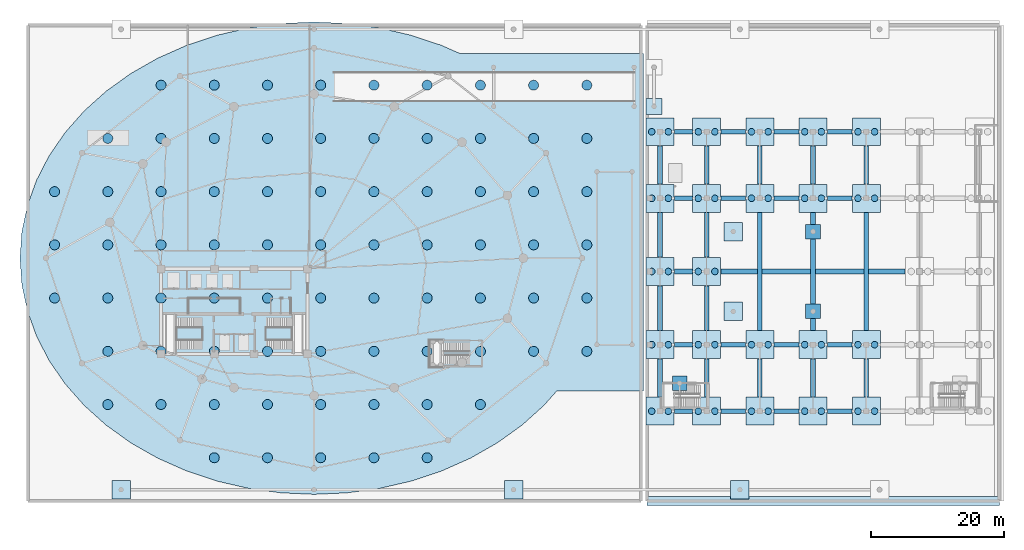
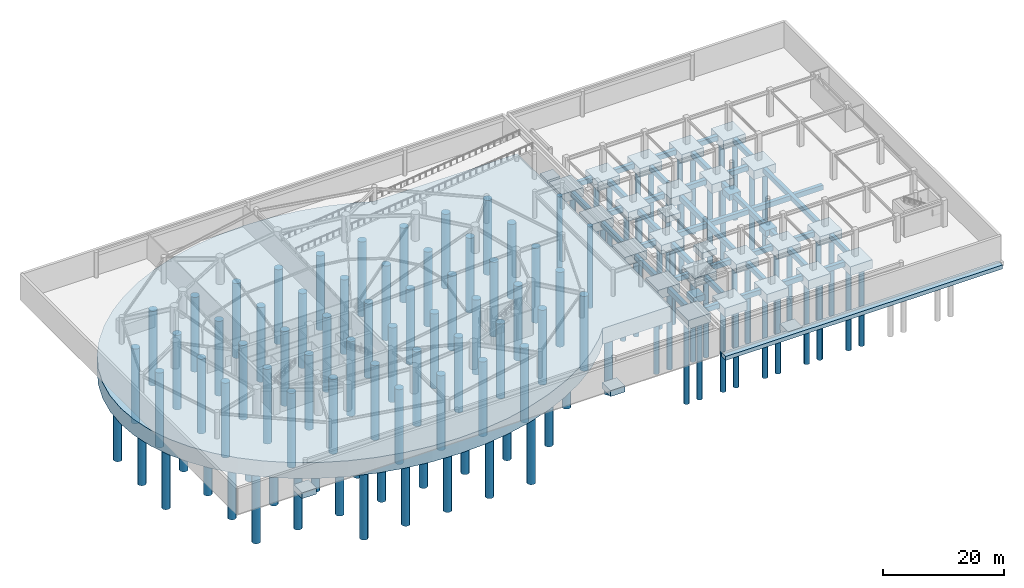
# One storey, part 1 of 22: 119 piles, 68 footings.
"""IFC4 building model written with IfcOpenShell, lengths in metres."""

from ifc_helpers import new_model, si_unit, direction, frame, frame_2d, origin, origin_2d, place, context, subcontext, project, spatial, polyline, rectangle, circle, outline, extrude, material, layer, layer_set, material_profile, profile_set, type_object, element, save


model = new_model("IFC4")

# Units and contexts
model_context = context("Model", 3, precision=1e-05, world=origin(), true_north=direction((0.0, 1.0)))
body_context = subcontext(model_context, "Body", "Model", "MODEL_VIEW")
ifc_project = project(units=[si_unit("LENGTHUNIT", "METRE"), si_unit("AREAUNIT", "SQUARE_METRE"), si_unit("VOLUMEUNIT", "CUBIC_METRE"), si_unit("PLANEANGLEUNIT", "RADIAN"), si_unit("MASSUNIT", "GRAM", prefix="KILO")], contexts=[model_context])

# Site, building, storey
site_placement = place(None, origin())
site = spatial("IfcSite", under=ifc_project, at=site_placement, CompositionType="ELEMENT")
building_placement = place(site_placement, origin())
building = spatial("IfcBuilding", under=site, at=building_placement, Name="Kazevale Care Tower and Concert Hall", CompositionType="ELEMENT")
storey_placement = place(building_placement, frame((0.0, 0.0, -5.39990234375)))
storey = spatial("IfcBuildingStorey", under=building, at=storey_placement, Name="B1", CompositionType="ELEMENT", Elevation=-5.39990234375)

# Piles
ifc_material = material(Name="Concrete C50", Category="concrete")
ifc_material_profile_1 = material_profile(ifc_material, circle(Radius=0.5, at=origin_2d()), Name="PILE-D1000")
ifc_profile_set_1 = profile_set([ifc_material_profile_1], Name="Concrete C50")
pile_type_1 = type_object("IfcPileType", Name="Concert Hall Bored Pile D1000", PredefinedType="BORED", material=ifc_profile_set_1)
for number, where, z_axis, x_axis, name in (
    (1, (95.75, 15.0, -2.080078125), (0.0, 0.0, -1.0), (1.0, 0.0, 0.0), "pile:ch:001"),
    (2, (98.25, 15.0, -2.080078125), (0.0, 0.0, -1.0), (1.0, 0.0, 0.0), "pile:ch:002"),
    (3, (95.75, 25.0, -2.080078125), (0.0, 0.0, -1.0), (1.0, 0.0, 0.0), "pile:ch:003"),
    (4, (98.25, 25.0, -2.080078125), (0.0, 0.0, -1.0), (1.0, 0.0, 0.0), "pile:ch:004"),
    (5, (95.75, 36.0, -2.080078125), (0.0, 0.0, -1.0), (1.0, 0.0, 0.0), "pile:ch:005"),
    (6, (98.25, 36.0, -2.080078125), (0.0, 0.0, -1.0), (1.0, 0.0, 0.0), "pile:ch:006"),
    (7, (95.75, 47.0, -2.080078125), (0.0, 0.0, -1.0), (1.0, 0.0, 0.0), "pile:ch:007"),
    (8, (98.25, 47.0, -2.080078125), (0.0, 0.0, -1.0), (1.0, 0.0, 0.0), "pile:ch:008"),
    (9, (95.75, 57.0, -2.080078125), (0.0, 0.0, -1.0), (1.0, 0.0, 0.0), "pile:ch:009"),
    (10, (98.25, 57.0, -2.080078125), (0.0, 0.0, -1.0), (1.0, 0.0, 0.0), "pile:ch:010"),
    (11, (102.75, 15.0, -2.080078125), (0.0, 0.0, -1.0), (1.0, 0.0, 0.0), "pile:ch:011"),
    (12, (105.25, 15.0, -2.080078125), (0.0, 0.0, -1.0), (1.0, 0.0, 0.0), "pile:ch:012"),
    (13, (102.75, 25.0, -2.080078125), (0.0, 0.0, -1.0), (1.0, 0.0, 0.0), "pile:ch:013"),
    (14, (105.25, 25.0, -2.080078125), (0.0, 0.0, -1.0), (1.0, 0.0, 0.0), "pile:ch:014"),
    (15, (102.75, 36.0, -2.080078125), (0.0, 0.0, -1.0), (1.0, 0.0, 0.0), "pile:ch:015"),
    (16, (105.25, 36.0, -2.080078125), (0.0, 0.0, -1.0), (1.0, 0.0, 0.0), "pile:ch:016"),
    (17, (102.75, 47.0, -2.080078125), (0.0, 0.0, -1.0), (1.0, 0.0, 0.0), "pile:ch:017"),
    (18, (105.25, 47.0, -2.080078125), (0.0, 0.0, -1.0), (1.0, 0.0, 0.0), "pile:ch:018"),
    (19, (102.75, 57.0, -2.080078125), (0.0, 0.0, -1.0), (1.0, 0.0, 0.0), "pile:ch:019"),
    (20, (105.25, 57.0, -2.080078125), (0.0, 0.0, -1.0), (1.0, 0.0, 0.0), "pile:ch:020"),
    (21, (110.75, 15.0, -2.080078125), (0.0, 0.0, -1.0), (1.0, 0.0, 0.0), "pile:ch:021"),
    (22, (113.25, 15.0, -2.080078125), (0.0, 0.0, -1.0), (1.0, 0.0, 0.0), "pile:ch:022"),
    (23, (110.75, 25.0, -2.080078125), (0.0, 0.0, -1.0), (1.0, 0.0, 0.0), "pile:ch:023"),
    (24, (113.25, 25.0, -2.080078125), (0.0, 0.0, -1.0), (1.0, 0.0, 0.0), "pile:ch:024"),
    (25, (110.75, 47.0, -2.080078125), (0.0, 0.0, -1.0), (1.0, 0.0, 0.0), "pile:ch:025"),
    (26, (113.25, 47.0, -2.080078125), (0.0, 0.0, -1.0), (1.0, 0.0, 0.0), "pile:ch:026"),
    (27, (110.75, 57.0, -2.080078125), (0.0, 0.0, -1.0), (1.0, 0.0, 0.0), "pile:ch:027"),
    (28, (113.25, 57.0, -2.080078125), (0.0, 0.0, -1.0), (1.0, 0.0, 0.0), "pile:ch:028"),
    (29, (118.75, 15.0, -2.080078125), (0.0, 0.0, -1.0), (1.0, 0.0, 0.0), "pile:ch:029"),
    (30, (121.25, 15.0, -2.080078125), (0.0, 0.0, -1.0), (1.0, 0.0, 0.0), "pile:ch:030"),
    (31, (118.75, 25.0, -2.080078125), (0.0, 0.0, -1.0), (1.0, 0.0, 0.0), "pile:ch:031"),
    (32, (121.25, 25.0, -2.080078125), (0.0, 0.0, -1.0), (1.0, 0.0, 0.0), "pile:ch:032"),
    (33, (118.75, 47.0, -2.080078125), (0.0, 0.0, -1.0), (1.0, 0.0, 0.0), "pile:ch:033"),
    (34, (121.25, 47.0, -2.080078125), (0.0, 0.0, -1.0), (1.0, 0.0, 0.0), "pile:ch:034"),
    (35, (118.75, 57.0, -2.080078125), (0.0, 0.0, -1.0), (1.0, 0.0, 0.0), "pile:ch:035"),
    (36, (121.25, 57.0, -2.080078125), (0.0, 0.0, -1.0), (1.0, 0.0, 0.0), "pile:ch:036"),
    (37, (126.75, 15.0, -2.080078125), (0.0, 0.0, -1.0), (1.0, 0.0, 0.0), "pile:ch:037"),
    (38, (129.25, 15.0, -2.080078125), (0.0, 0.0, -1.0), (1.0, 0.0, 0.0), "pile:ch:038"),
    (39, (126.75, 25.0, -2.080078125), (0.0, 0.0, -1.0), (1.0, 0.0, 0.0), "pile:ch:039"),
    (40, (129.25, 25.0, -2.080078125), (0.0, 0.0, -1.0), (1.0, 0.0, 0.0), "pile:ch:040"),
    (41, (126.75, 47.0, -2.080078125), (0.0, 0.0, -1.0), (1.0, 0.0, 0.0), "pile:ch:041"),
    (42, (129.25, 47.0, -2.080078125), (0.0, 0.0, -1.0), (1.0, 0.0, 0.0), "pile:ch:042"),
    (43, (126.75, 57.0, -2.080078125), (0.0, 0.0, -1.0), (1.0, 0.0, 0.0), "pile:ch:043"),
    (44, (129.25, 57.0, -2.080078125), (0.0, 0.0, -1.0), (1.0, 0.0, 0.0), "pile:ch:044"),
):
    element("IfcPile", number, at=place(storey_placement, frame(where, z_axis=z_axis, x_axis=x_axis)), inside=storey, type_object=pile_type_1, Name=name, PredefinedType="BORED", context=body_context, shape_type="SweptSolid", body=[
        extrude(circle(Radius=0.5, at=origin_2d()), origin(), (0.0, 0.0, 1.0), 16.52001953125),
    ])

# Footings
ifc_layer_1 = layer(ifc_material, 1.800048828125)
ifc_layer_set_1 = layer_set([ifc_layer_1], Name="Concrete C50")
footing_type_1 = type_object("IfcFootingType", Name="Concert Hall Pile Cap 4200x4200x1800", PredefinedType="PILE_CAP", material=ifc_layer_set_1)
for number, where, z_axis, x_axis, name in (
    (45, (97.0, 15.0, -2.2001953125), (0.0, 0.0, 1.0), (1.0, 0.0, 0.0), "fnd:hcap:HC-01"),
    (46, (97.0, 25.0, -2.2001953125), (0.0, 0.0, 1.0), (1.0, 0.0, 0.0), "fnd:hcap:HC-02"),
    (47, (97.0, 36.0, -2.2001953125), (0.0, 0.0, 1.0), (1.0, 0.0, 0.0), "fnd:hcap:HC-03"),
    (48, (97.0, 47.0, -2.2001953125), (0.0, 0.0, 1.0), (1.0, 0.0, 0.0), "fnd:hcap:HC-04"),
    (49, (97.0, 57.0, -2.2001953125), (0.0, 0.0, 1.0), (1.0, 0.0, 0.0), "fnd:hcap:HC-05"),
    (50, (104.0, 15.0, -2.2001953125), (0.0, 0.0, 1.0), (1.0, 0.0, 0.0), "fnd:hcap:HC-06"),
    (51, (104.0, 25.0, -2.2001953125), (0.0, 0.0, 1.0), (1.0, 0.0, 0.0), "fnd:hcap:HC-07"),
    (52, (104.0, 36.0, -2.2001953125), (0.0, 0.0, 1.0), (1.0, 0.0, 0.0), "fnd:hcap:HC-08"),
    (53, (104.0, 47.0, -2.2001953125), (0.0, 0.0, 1.0), (1.0, 0.0, 0.0), "fnd:hcap:HC-09"),
    (54, (104.0, 57.0, -2.2001953125), (0.0, 0.0, 1.0), (1.0, 0.0, 0.0), "fnd:hcap:HC-10"),
    (55, (112.0, 15.0, -2.2001953125), (0.0, 0.0, 1.0), (1.0, 0.0, 0.0), "fnd:hcap:HC-11"),
    (56, (112.0, 25.0, -2.2001953125), (0.0, 0.0, 1.0), (1.0, 0.0, 0.0), "fnd:hcap:HC-12"),
    (57, (112.0, 47.0, -2.2001953125), (0.0, 0.0, 1.0), (1.0, 0.0, 0.0), "fnd:hcap:HC-13"),
    (58, (112.0, 57.0, -2.2001953125), (0.0, 0.0, 1.0), (1.0, 0.0, 0.0), "fnd:hcap:HC-14"),
    (59, (120.0, 15.0, -2.2001953125), (0.0, 0.0, 1.0), (1.0, 0.0, 0.0), "fnd:hcap:HC-15"),
    (60, (120.0, 25.0, -2.2001953125), (0.0, 0.0, 1.0), (1.0, 0.0, 0.0), "fnd:hcap:HC-16"),
    (61, (120.0, 47.0, -2.2001953125), (0.0, 0.0, 1.0), (1.0, 0.0, 0.0), "fnd:hcap:HC-17"),
    (62, (120.0, 57.0, -2.2001953125), (0.0, 0.0, 1.0), (1.0, 0.0, 0.0), "fnd:hcap:HC-18"),
    (63, (128.0, 15.0, -2.2001953125), (0.0, 0.0, 1.0), (1.0, 0.0, 0.0), "fnd:hcap:HC-19"),
    (64, (128.0, 25.0, -2.2001953125), (0.0, 0.0, 1.0), (1.0, 0.0, 0.0), "fnd:hcap:HC-20"),
    (65, (128.0, 47.0, -2.2001953125), (0.0, 0.0, 1.0), (1.0, 0.0, 0.0), "fnd:hcap:HC-21"),
    (66, (128.0, 57.0, -2.2001953125), (0.0, 0.0, 1.0), (1.0, 0.0, 0.0), "fnd:hcap:HC-22"),
):
    element("IfcFooting", number, at=place(storey_placement, frame(where, z_axis=z_axis, x_axis=x_axis)), inside=storey, type_object=footing_type_1, Name=name, PredefinedType="PILE_CAP", context=body_context, shape_type="SweptSolid", body=[
        extrude(rectangle(XDim=4.199951171875, YDim=4.199951171875, at=origin_2d()), origin(), (0.0, 0.0, 1.0), 1.800048828125),
    ])
ifc_material_profile_2 = material_profile(ifc_material, rectangle(XDim=0.699951171875, YDim=1.0, at=origin_2d()), Name="RC-GB700x1000")
ifc_profile_set_2 = profile_set([ifc_material_profile_2], Name="Concrete C50")
footing_type_2 = type_object("IfcFootingType", Name="Foundation Tie Beam 700x1000", PredefinedType="FOOTING_BEAM", material=ifc_profile_set_2)
footing_1_placement = place(storey_placement, frame((99.14990234375, 15.0, -1.400146484375), z_axis=(0.0, 0.0, 1.0), x_axis=(1.0, 0.0, 0.0)))
element("IfcFooting", 67, at=footing_1_placement, inside=storey, type_object=footing_type_2, Name="fnd:B1:ftb:01", PredefinedType="FOOTING_BEAM", context=body_context, shape_type="SweptSolid", body=[
    extrude(rectangle(XDim=2.7001953125, YDim=0.699951171875, at=frame_2d((1.35009765625, 0.0))), origin(), (0.0, 0.0, 1.0), 1.0),
])
for number, where, z_axis, x_axis, name in (
    (68, (106.14990234375, 15.0, -1.400146484375), (0.0, 0.0, 1.0), (1.0, 0.0, 0.0), "fnd:B1:ftb:02"),
    (69, (114.14990234375, 15.0, -1.400146484375), (0.0, 0.0, 1.0), (1.0, 0.0, 0.0), "fnd:B1:ftb:03"),
    (70, (122.14990234375, 15.0, -1.400146484375), (0.0, 0.0, 1.0), (1.0, 0.0, 0.0), "fnd:B1:ftb:04"),
):
    element("IfcFooting", number, at=place(storey_placement, frame(where, z_axis=z_axis, x_axis=x_axis)), inside=storey, type_object=footing_type_2, Name=name, PredefinedType="FOOTING_BEAM", context=body_context, shape_type="SweptSolid", body=[
        extrude(rectangle(XDim=3.7001953125, YDim=0.699951171875, at=frame_2d((1.85009765625, 0.0))), origin(), (0.0, 0.0, 1.0), 1.0),
    ])
footing_2_placement = place(storey_placement, frame((99.14990234375, 25.0, -1.400146484375), z_axis=(0.0, 0.0, 1.0), x_axis=(1.0, 0.0, 0.0)))
element("IfcFooting", 71, at=footing_2_placement, inside=storey, type_object=footing_type_2, Name="fnd:B1:ftb:07", PredefinedType="FOOTING_BEAM", context=body_context, shape_type="SweptSolid", body=[
    extrude(rectangle(XDim=2.7001953125, YDim=0.699951171875, at=frame_2d((1.35009765625, 0.0))), origin(), (0.0, 0.0, 1.0), 1.0),
])
for number, where, z_axis, x_axis, name in (
    (72, (106.14990234375, 25.0, -1.400146484375), (0.0, 0.0, 1.0), (1.0, 0.0, 0.0), "fnd:B1:ftb:08"),
    (73, (114.14990234375, 25.0, -1.400146484375), (0.0, 0.0, 1.0), (1.0, 0.0, 0.0), "fnd:B1:ftb:09"),
    (74, (122.14990234375, 25.0, -1.400146484375), (0.0, 0.0, 1.0), (1.0, 0.0, 0.0), "fnd:B1:ftb:10"),
):
    element("IfcFooting", number, at=place(storey_placement, frame(where, z_axis=z_axis, x_axis=x_axis)), inside=storey, type_object=footing_type_2, Name=name, PredefinedType="FOOTING_BEAM", context=body_context, shape_type="SweptSolid", body=[
        extrude(rectangle(XDim=3.7001953125, YDim=0.699951171875, at=frame_2d((1.85009765625, 0.0))), origin(), (0.0, 0.0, 1.0), 1.0),
    ])
footing_3_placement = place(storey_placement, frame((99.14990234375, 36.0, -1.400146484375), z_axis=(0.0, 0.0, 1.0), x_axis=(1.0, 0.0, 0.0)))
element("IfcFooting", 75, at=footing_3_placement, inside=storey, type_object=footing_type_2, Name="fnd:B1:ftb:13", PredefinedType="FOOTING_BEAM", context=body_context, shape_type="SweptSolid", body=[
    extrude(rectangle(XDim=2.7001953125, YDim=0.699951171875, at=frame_2d((1.35009765625, 0.0))), origin(), (0.0, 0.0, 1.0), 1.0),
])
footing_4_placement = place(storey_placement, frame((106.14990234375, 36.0, -1.400146484375), z_axis=(0.0, 0.0, 1.0), x_axis=(1.0, 0.0, 0.0)))
element("IfcFooting", 76, at=footing_4_placement, inside=storey, type_object=footing_type_2, Name="fnd:B1:ftb:14", PredefinedType="FOOTING_BEAM", context=body_context, shape_type="SweptSolid", body=[
    extrude(rectangle(XDim=27.7001953125, YDim=0.699951171875, at=frame_2d((13.85009765625, 0.0))), origin(), (0.0, 0.0, 1.0), 1.0),
])
footing_5_placement = place(storey_placement, frame((99.14990234375, 47.0, -1.400146484375), z_axis=(0.0, 0.0, 1.0), x_axis=(1.0, 0.0, 0.0)))
element("IfcFooting", 77, at=footing_5_placement, inside=storey, type_object=footing_type_2, Name="fnd:B1:ftb:16", PredefinedType="FOOTING_BEAM", context=body_context, shape_type="SweptSolid", body=[
    extrude(rectangle(XDim=2.7001953125, YDim=0.699951171875, at=frame_2d((1.35009765625, 0.0))), origin(), (0.0, 0.0, 1.0), 1.0),
])
for number, where, z_axis, x_axis, name in (
    (78, (106.14990234375, 47.0, -1.400146484375), (0.0, 0.0, 1.0), (1.0, 0.0, 0.0), "fnd:B1:ftb:17"),
    (79, (114.14990234375, 47.0, -1.400146484375), (0.0, 0.0, 1.0), (1.0, 0.0, 0.0), "fnd:B1:ftb:18"),
    (80, (122.14990234375, 47.0, -1.400146484375), (0.0, 0.0, 1.0), (1.0, 0.0, 0.0), "fnd:B1:ftb:19"),
):
    element("IfcFooting", number, at=place(storey_placement, frame(where, z_axis=z_axis, x_axis=x_axis)), inside=storey, type_object=footing_type_2, Name=name, PredefinedType="FOOTING_BEAM", context=body_context, shape_type="SweptSolid", body=[
        extrude(rectangle(XDim=3.7001953125, YDim=0.699951171875, at=frame_2d((1.85009765625, 0.0))), origin(), (0.0, 0.0, 1.0), 1.0),
    ])
footing_6_placement = place(storey_placement, frame((99.14990234375, 57.0, -1.400146484375), z_axis=(0.0, 0.0, 1.0), x_axis=(1.0, 0.0, 0.0)))
element("IfcFooting", 81, at=footing_6_placement, inside=storey, type_object=footing_type_2, Name="fnd:B1:ftb:22", PredefinedType="FOOTING_BEAM", context=body_context, shape_type="SweptSolid", body=[
    extrude(rectangle(XDim=2.7001953125, YDim=0.699951171875, at=frame_2d((1.35009765625, 0.0))), origin(), (0.0, 0.0, 1.0), 1.0),
])
for number, where, z_axis, x_axis, name in (
    (82, (106.14990234375, 57.0, -1.400146484375), (0.0, 0.0, 1.0), (1.0, 0.0, 0.0), "fnd:B1:ftb:23"),
    (83, (114.14990234375, 57.0, -1.400146484375), (0.0, 0.0, 1.0), (1.0, 0.0, 0.0), "fnd:B1:ftb:24"),
    (84, (122.14990234375, 57.0, -1.400146484375), (0.0, 0.0, 1.0), (1.0, 0.0, 0.0), "fnd:B1:ftb:25"),
):
    element("IfcFooting", number, at=place(storey_placement, frame(where, z_axis=z_axis, x_axis=x_axis)), inside=storey, type_object=footing_type_2, Name=name, PredefinedType="FOOTING_BEAM", context=body_context, shape_type="SweptSolid", body=[
        extrude(rectangle(XDim=3.7001953125, YDim=0.699951171875, at=frame_2d((1.85009765625, 0.0))), origin(), (0.0, 0.0, 1.0), 1.0),
    ])
footing_7_placement = place(storey_placement, frame((97.0, 17.14990234375, -1.400146484375), z_axis=(0.0, 0.0, 1.0), x_axis=(0.0, 1.0, 0.0)))
element("IfcFooting", 85, at=footing_7_placement, inside=storey, type_object=footing_type_2, Name="fnd:B1:ftb:28", PredefinedType="FOOTING_BEAM", context=body_context, shape_type="SweptSolid", body=[
    extrude(rectangle(XDim=5.7001953125, YDim=0.699951171875, at=frame_2d((2.85009765625, 0.0))), origin(), (0.0, 0.0, 1.0), 1.0),
])
for number, where, z_axis, x_axis, name in (
    (86, (97.0, 27.14990234375, -1.400146484375), (0.0, 0.0, 1.0), (0.0, 1.0, 0.0), "fnd:B1:ftb:29"),
    (87, (97.0, 38.14990234375, -1.400146484375), (0.0, 0.0, 1.0), (0.0, 1.0, 0.0), "fnd:B1:ftb:30"),
):
    element("IfcFooting", number, at=place(storey_placement, frame(where, z_axis=z_axis, x_axis=x_axis)), inside=storey, type_object=footing_type_2, Name=name, PredefinedType="FOOTING_BEAM", context=body_context, shape_type="SweptSolid", body=[
        extrude(rectangle(XDim=6.7001953125, YDim=0.699951171875, at=frame_2d((3.35009765625, 0.0))), origin(), (0.0, 0.0, 1.0), 1.0),
    ])
for number, where, z_axis, x_axis, name in (
    (88, (97.0, 49.14990234375, -1.400146484375), (0.0, 0.0, 1.0), (0.0, 1.0, 0.0), "fnd:B1:ftb:31"),
    (89, (104.0, 17.14990234375, -1.400146484375), (0.0, 0.0, 1.0), (0.0, 1.0, 0.0), "fnd:B1:ftb:32"),
):
    element("IfcFooting", number, at=place(storey_placement, frame(where, z_axis=z_axis, x_axis=x_axis)), inside=storey, type_object=footing_type_2, Name=name, PredefinedType="FOOTING_BEAM", context=body_context, shape_type="SweptSolid", body=[
        extrude(rectangle(XDim=5.7001953125, YDim=0.699951171875, at=frame_2d((2.85009765625, 0.0))), origin(), (0.0, 0.0, 1.0), 1.0),
    ])
for number, where, z_axis, x_axis, name in (
    (90, (104.0, 27.14990234375, -1.400146484375), (0.0, 0.0, 1.0), (0.0, 1.0, 0.0), "fnd:B1:ftb:33"),
    (91, (104.0, 38.14990234375, -1.400146484375), (0.0, 0.0, 1.0), (0.0, 1.0, 0.0), "fnd:B1:ftb:34"),
):
    element("IfcFooting", number, at=place(storey_placement, frame(where, z_axis=z_axis, x_axis=x_axis)), inside=storey, type_object=footing_type_2, Name=name, PredefinedType="FOOTING_BEAM", context=body_context, shape_type="SweptSolid", body=[
        extrude(rectangle(XDim=6.7001953125, YDim=0.699951171875, at=frame_2d((3.35009765625, 0.0))), origin(), (0.0, 0.0, 1.0), 1.0),
    ])
for number, where, z_axis, x_axis, name in (
    (92, (104.0, 49.14990234375, -1.400146484375), (0.0, 0.0, 1.0), (0.0, 1.0, 0.0), "fnd:B1:ftb:35"),
    (93, (112.0, 17.14990234375, -1.400146484375), (0.0, 0.0, 1.0), (0.0, 1.0, 0.0), "fnd:B1:ftb:36"),
):
    element("IfcFooting", number, at=place(storey_placement, frame(where, z_axis=z_axis, x_axis=x_axis)), inside=storey, type_object=footing_type_2, Name=name, PredefinedType="FOOTING_BEAM", context=body_context, shape_type="SweptSolid", body=[
        extrude(rectangle(XDim=5.7001953125, YDim=0.699951171875, at=frame_2d((2.85009765625, 0.0))), origin(), (0.0, 0.0, 1.0), 1.0),
    ])
footing_8_placement = place(storey_placement, frame((112.0, 27.14990234375, -1.400146484375), z_axis=(0.0, 0.0, 1.0), x_axis=(0.0, 1.0, 0.0)))
element("IfcFooting", 94, at=footing_8_placement, inside=storey, type_object=footing_type_2, Name="fnd:B1:ftb:37", PredefinedType="FOOTING_BEAM", context=body_context, shape_type="SweptSolid", body=[
    extrude(rectangle(XDim=17.7001953125, YDim=0.699951171875, at=frame_2d((8.85009765625, 0.0))), origin(), (0.0, 0.0, 1.0), 1.0),
])
for number, where, z_axis, x_axis, name in (
    (95, (112.0, 49.14990234375, -1.400146484375), (0.0, 0.0, 1.0), (0.0, 1.0, 0.0), "fnd:B1:ftb:38"),
    (96, (120.0, 17.14990234375, -1.400146484375), (0.0, 0.0, 1.0), (0.0, 1.0, 0.0), "fnd:B1:ftb:39"),
):
    element("IfcFooting", number, at=place(storey_placement, frame(where, z_axis=z_axis, x_axis=x_axis)), inside=storey, type_object=footing_type_2, Name=name, PredefinedType="FOOTING_BEAM", context=body_context, shape_type="SweptSolid", body=[
        extrude(rectangle(XDim=5.7001953125, YDim=0.699951171875, at=frame_2d((2.85009765625, 0.0))), origin(), (0.0, 0.0, 1.0), 1.0),
    ])
footing_9_placement = place(storey_placement, frame((120.0, 27.14990234375, -1.400146484375), z_axis=(0.0, 0.0, 1.0), x_axis=(0.0, 1.0, 0.0)))
element("IfcFooting", 97, at=footing_9_placement, inside=storey, type_object=footing_type_2, Name="fnd:B1:ftb:40", PredefinedType="FOOTING_BEAM", context=body_context, shape_type="SweptSolid", body=[
    extrude(rectangle(XDim=17.7001953125, YDim=0.699951171875, at=frame_2d((8.85009765625, 0.0))), origin(), (0.0, 0.0, 1.0), 1.0),
])
for number, where, z_axis, x_axis, name in (
    (98, (120.0, 49.14990234375, -1.400146484375), (0.0, 0.0, 1.0), (0.0, 1.0, 0.0), "fnd:B1:ftb:41"),
    (99, (128.0, 17.14990234375, -1.400146484375), (0.0, 0.0, 1.0), (0.0, 1.0, 0.0), "fnd:B1:ftb:42"),
):
    element("IfcFooting", number, at=place(storey_placement, frame(where, z_axis=z_axis, x_axis=x_axis)), inside=storey, type_object=footing_type_2, Name=name, PredefinedType="FOOTING_BEAM", context=body_context, shape_type="SweptSolid", body=[
        extrude(rectangle(XDim=5.7001953125, YDim=0.699951171875, at=frame_2d((2.85009765625, 0.0))), origin(), (0.0, 0.0, 1.0), 1.0),
    ])
footing_10_placement = place(storey_placement, frame((128.0, 27.14990234375, -1.400146484375), z_axis=(0.0, 0.0, 1.0), x_axis=(0.0, 1.0, 0.0)))
element("IfcFooting", 100, at=footing_10_placement, inside=storey, type_object=footing_type_2, Name="fnd:B1:ftb:43", PredefinedType="FOOTING_BEAM", context=body_context, shape_type="SweptSolid", body=[
    extrude(rectangle(XDim=17.7001953125, YDim=0.699951171875, at=frame_2d((8.85009765625, 0.0))), origin(), (0.0, 0.0, 1.0), 1.0),
])
footing_11_placement = place(storey_placement, frame((128.0, 49.14990234375, -1.400146484375), z_axis=(0.0, 0.0, 1.0), x_axis=(0.0, 1.0, 0.0)))
element("IfcFooting", 101, at=footing_11_placement, inside=storey, type_object=footing_type_2, Name="fnd:B1:ftb:44", PredefinedType="FOOTING_BEAM", context=body_context, shape_type="SweptSolid", body=[
    extrude(rectangle(XDim=5.7001953125, YDim=0.699951171875, at=frame_2d((2.85009765625, 0.0))), origin(), (0.0, 0.0, 1.0), 1.0),
])
ifc_layer_2 = layer(ifc_material, 1.199951171875)
ifc_layer_set_2 = layer_set([ifc_layer_2], Name="Concrete C50")
footing_type_3 = type_object("IfcFootingType", Name="Garden Basement Pad Footing 2800x2800x1200", PredefinedType="PAD_FOOTING", material=ifc_layer_set_2)
for number, where, z_axis, x_axis, name in (
    (102, (108.0, 30.0, -1.60009765625), (0.0, 0.0, 1.0), (1.0, 0.0, 0.0), "fnd:rkpad:RKC-1"),
    (103, (108.0, 42.0, -1.60009765625), (0.0, 0.0, 1.0), (1.0, 0.0, 0.0), "fnd:rkpad:RKC-2"),
    (104, (16.0, 3.199951171875, -1.60009765625), (0.0, 0.0, 1.0), (1.0, 0.0, 0.0), "fnd:pavpad:1_3"),
    (105, (75.0, 3.199951171875, -1.60009765625), (0.0, 0.0, 1.0), (1.0, 0.0, 0.0), "fnd:pavpad:3_3"),
    (106, (109.0, 3.199951171875, -1.60009765625), (0.0, 0.0, 1.0), (1.0, 0.0, 0.0), "fnd:pavpad:4_3"),
):
    element("IfcFooting", number, at=place(storey_placement, frame(where, z_axis=z_axis, x_axis=x_axis)), inside=storey, type_object=footing_type_3, Name=name, PredefinedType="PAD_FOOTING", context=body_context, shape_type="SweptSolid", body=[
        extrude(rectangle(XDim=2.800048828125, YDim=2.800048828125, at=origin_2d()), origin(), (0.0, 0.0, 1.0), 1.199951171875),
    ])
footing_12_placement = place(storey_placement, frame((96.10009765625, 60.800048828125, -1.60009765625), z_axis=(0.0, 0.0, 1.0), x_axis=(1.0, 0.0, 0.0)))
element("IfcFooting", 107, at=footing_12_placement, inside=storey, type_object=footing_type_3, Name="fnd:rmppad:4_60", PredefinedType="PAD_FOOTING", context=body_context, shape_type="SweptSolid", body=[
    extrude(rectangle(XDim=2.39990234375, YDim=2.39990234375, at=origin_2d()), origin(), (0.0, 0.0, 1.0), 1.199951171875),
])
for number, where, z_axis, x_axis, name in (
    (108, (99.949951171875, 19.199951171875, -1.60009765625), (0.0, 0.0, 1.0), (1.0, 0.0, 0.0), "fnd:ST4:npost"),
    (109, (120.0, 30.0, -1.60009765625), (0.0, 0.0, 1.0), (1.0, 0.0, 0.0), "fnd:rkfpad:1"),
    (110, (120.0, 42.0, -1.60009765625), (0.0, 0.0, 1.0), (1.0, 0.0, 0.0), "fnd:rkfpad:2"),
):
    element("IfcFooting", number, at=place(storey_placement, frame(where, z_axis=z_axis, x_axis=x_axis)), inside=storey, type_object=footing_type_3, Name=name, PredefinedType="PAD_FOOTING", context=body_context, shape_type="SweptSolid", body=[
        extrude(rectangle(XDim=2.199951171875, YDim=2.199951171875, at=origin_2d()), origin(), (0.0, 0.0, 1.0), 1.199951171875),
    ])
ifc_layer_3 = layer(ifc_material, 0.800048828125)
ifc_layer_set_3 = layer_set([ifc_layer_3], Name="Concrete C50")
footing_type_4 = type_object("IfcFootingType", Name="Retaining Wall Strip Footing 1400x800", PredefinedType="STRIP_FOOTING", material=ifc_layer_set_3)
footing_13_placement = place(storey_placement, frame((95.050048828125, 1.5, -1.2001953125), z_axis=(0.0, 0.0, 1.0), x_axis=(1.0, 0.0, 0.0)))
element("IfcFooting", 111, at=footing_13_placement, inside=storey, type_object=footing_type_4, Name="fnd:retstrip:1", PredefinedType="STRIP_FOOTING", context=body_context, shape_type="SweptSolid", body=[
    extrude(rectangle(XDim=52.949951171875, YDim=1.39990234375, at=frame_2d((26.47509765625, 0.0))), origin(), (0.0, 0.0, 1.0), 0.800048828125),
])

# Piles
ifc_material_profile_3 = material_profile(ifc_material, circle(Radius=0.75, at=origin_2d()), Name="PILE-D1500")
ifc_profile_set_3 = profile_set([ifc_material_profile_3], Name="Concrete C50")
pile_type_2 = type_object("IfcPileType", Name="Tower Bored Pile D1500", PredefinedType="BORED", material=ifc_profile_set_3)
for number, where, z_axis, x_axis, name in (
    (112, (6.0, 32.0, -3.47998046875), (0.0, 0.0, -1.0), (1.0, 0.0, 0.0), "pile:tw:001"),
    (113, (6.0, 40.0, -3.47998046875), (0.0, 0.0, -1.0), (1.0, 0.0, 0.0), "pile:tw:002"),
    (114, (6.0, 48.0, -3.47998046875), (0.0, 0.0, -1.0), (1.0, 0.0, 0.0), "pile:tw:003"),
    (115, (14.0, 16.0, -3.47998046875), (0.0, 0.0, -1.0), (1.0, 0.0, 0.0), "pile:tw:004"),
    (116, (14.0, 24.0, -3.47998046875), (0.0, 0.0, -1.0), (1.0, 0.0, 0.0), "pile:tw:005"),
    (117, (14.0, 32.0, -3.47998046875), (0.0, 0.0, -1.0), (1.0, 0.0, 0.0), "pile:tw:006"),
    (118, (14.0, 40.0, -3.47998046875), (0.0, 0.0, -1.0), (1.0, 0.0, 0.0), "pile:tw:007"),
    (119, (14.0, 48.0, -3.47998046875), (0.0, 0.0, -1.0), (1.0, 0.0, 0.0), "pile:tw:008"),
    (120, (14.0, 56.0, -3.47998046875), (0.0, 0.0, -1.0), (1.0, 0.0, 0.0), "pile:tw:009"),
    (121, (22.0, 16.0, -3.47998046875), (0.0, 0.0, -1.0), (1.0, 0.0, 0.0), "pile:tw:010"),
    (122, (22.0, 24.0, -3.47998046875), (0.0, 0.0, -1.0), (1.0, 0.0, 0.0), "pile:tw:011"),
    (123, (22.0, 32.0, -3.47998046875), (0.0, 0.0, -1.0), (1.0, 0.0, 0.0), "pile:tw:012"),
    (124, (22.0, 40.0, -3.47998046875), (0.0, 0.0, -1.0), (1.0, 0.0, 0.0), "pile:tw:013"),
    (125, (22.0, 48.0, -3.47998046875), (0.0, 0.0, -1.0), (1.0, 0.0, 0.0), "pile:tw:014"),
    (126, (22.0, 56.0, -3.47998046875), (0.0, 0.0, -1.0), (1.0, 0.0, 0.0), "pile:tw:015"),
    (127, (22.0, 64.0, -3.47998046875), (0.0, 0.0, -1.0), (1.0, 0.0, 0.0), "pile:tw:016"),
    (128, (30.0, 8.0, -3.47998046875), (0.0, 0.0, -1.0), (1.0, 0.0, 0.0), "pile:tw:017"),
    (129, (30.0, 16.0, -3.47998046875), (0.0, 0.0, -1.0), (1.0, 0.0, 0.0), "pile:tw:018"),
    (130, (30.0, 24.0, -3.47998046875), (0.0, 0.0, -1.0), (1.0, 0.0, 0.0), "pile:tw:019"),
    (131, (30.0, 32.0, -3.47998046875), (0.0, 0.0, -1.0), (1.0, 0.0, 0.0), "pile:tw:020"),
    (132, (30.0, 40.0, -3.47998046875), (0.0, 0.0, -1.0), (1.0, 0.0, 0.0), "pile:tw:021"),
    (133, (30.0, 48.0, -3.47998046875), (0.0, 0.0, -1.0), (1.0, 0.0, 0.0), "pile:tw:022"),
    (134, (30.0, 56.0, -3.47998046875), (0.0, 0.0, -1.0), (1.0, 0.0, 0.0), "pile:tw:023"),
    (135, (30.0, 64.0, -3.47998046875), (0.0, 0.0, -1.0), (1.0, 0.0, 0.0), "pile:tw:024"),
    (136, (38.0, 8.0, -3.47998046875), (0.0, 0.0, -1.0), (1.0, 0.0, 0.0), "pile:tw:025"),
    (137, (38.0, 16.0, -3.47998046875), (0.0, 0.0, -1.0), (1.0, 0.0, 0.0), "pile:tw:026"),
    (138, (38.0, 24.0, -3.47998046875), (0.0, 0.0, -1.0), (1.0, 0.0, 0.0), "pile:tw:027"),
    (139, (38.0, 32.0, -3.47998046875), (0.0, 0.0, -1.0), (1.0, 0.0, 0.0), "pile:tw:028"),
    (140, (38.0, 40.0, -3.47998046875), (0.0, 0.0, -1.0), (1.0, 0.0, 0.0), "pile:tw:029"),
    (141, (38.0, 48.0, -3.47998046875), (0.0, 0.0, -1.0), (1.0, 0.0, 0.0), "pile:tw:030"),
    (142, (38.0, 56.0, -3.47998046875), (0.0, 0.0, -1.0), (1.0, 0.0, 0.0), "pile:tw:031"),
    (143, (38.0, 64.0, -3.47998046875), (0.0, 0.0, -1.0), (1.0, 0.0, 0.0), "pile:tw:032"),
    (144, (46.0, 8.0, -3.47998046875), (0.0, 0.0, -1.0), (1.0, 0.0, 0.0), "pile:tw:033"),
    (145, (46.0, 16.0, -3.47998046875), (0.0, 0.0, -1.0), (1.0, 0.0, 0.0), "pile:tw:034"),
    (146, (46.0, 24.0, -3.47998046875), (0.0, 0.0, -1.0), (1.0, 0.0, 0.0), "pile:tw:035"),
    (147, (46.0, 32.0, -3.47998046875), (0.0, 0.0, -1.0), (1.0, 0.0, 0.0), "pile:tw:036"),
    (148, (46.0, 40.0, -3.47998046875), (0.0, 0.0, -1.0), (1.0, 0.0, 0.0), "pile:tw:037"),
    (149, (46.0, 48.0, -3.47998046875), (0.0, 0.0, -1.0), (1.0, 0.0, 0.0), "pile:tw:038"),
    (150, (46.0, 56.0, -3.47998046875), (0.0, 0.0, -1.0), (1.0, 0.0, 0.0), "pile:tw:039"),
    (151, (46.0, 64.0, -3.47998046875), (0.0, 0.0, -1.0), (1.0, 0.0, 0.0), "pile:tw:040"),
    (152, (54.0, 8.0, -3.47998046875), (0.0, 0.0, -1.0), (1.0, 0.0, 0.0), "pile:tw:041"),
    (153, (54.0, 16.0, -3.47998046875), (0.0, 0.0, -1.0), (1.0, 0.0, 0.0), "pile:tw:042"),
    (154, (54.0, 24.0, -3.47998046875), (0.0, 0.0, -1.0), (1.0, 0.0, 0.0), "pile:tw:043"),
    (155, (54.0, 32.0, -3.47998046875), (0.0, 0.0, -1.0), (1.0, 0.0, 0.0), "pile:tw:044"),
    (156, (54.0, 40.0, -3.47998046875), (0.0, 0.0, -1.0), (1.0, 0.0, 0.0), "pile:tw:045"),
    (157, (54.0, 48.0, -3.47998046875), (0.0, 0.0, -1.0), (1.0, 0.0, 0.0), "pile:tw:046"),
    (158, (54.0, 56.0, -3.47998046875), (0.0, 0.0, -1.0), (1.0, 0.0, 0.0), "pile:tw:047"),
    (159, (54.0, 64.0, -3.47998046875), (0.0, 0.0, -1.0), (1.0, 0.0, 0.0), "pile:tw:048"),
    (160, (62.0, 8.0, -3.47998046875), (0.0, 0.0, -1.0), (1.0, 0.0, 0.0), "pile:tw:049"),
    (161, (62.0, 16.0, -3.47998046875), (0.0, 0.0, -1.0), (1.0, 0.0, 0.0), "pile:tw:050"),
    (162, (62.0, 24.0, -3.47998046875), (0.0, 0.0, -1.0), (1.0, 0.0, 0.0), "pile:tw:051"),
    (163, (62.0, 32.0, -3.47998046875), (0.0, 0.0, -1.0), (1.0, 0.0, 0.0), "pile:tw:052"),
    (164, (62.0, 40.0, -3.47998046875), (0.0, 0.0, -1.0), (1.0, 0.0, 0.0), "pile:tw:053"),
    (165, (62.0, 48.0, -3.47998046875), (0.0, 0.0, -1.0), (1.0, 0.0, 0.0), "pile:tw:054"),
    (166, (62.0, 56.0, -3.47998046875), (0.0, 0.0, -1.0), (1.0, 0.0, 0.0), "pile:tw:055"),
    (167, (62.0, 64.0, -3.47998046875), (0.0, 0.0, -1.0), (1.0, 0.0, 0.0), "pile:tw:056"),
    (168, (70.0, 16.0, -3.47998046875), (0.0, 0.0, -1.0), (1.0, 0.0, 0.0), "pile:tw:057"),
    (169, (70.0, 24.0, -3.47998046875), (0.0, 0.0, -1.0), (1.0, 0.0, 0.0), "pile:tw:058"),
    (170, (70.0, 32.0, -3.47998046875), (0.0, 0.0, -1.0), (1.0, 0.0, 0.0), "pile:tw:059"),
    (171, (70.0, 40.0, -3.47998046875), (0.0, 0.0, -1.0), (1.0, 0.0, 0.0), "pile:tw:060"),
    (172, (70.0, 48.0, -3.47998046875), (0.0, 0.0, -1.0), (1.0, 0.0, 0.0), "pile:tw:061"),
    (173, (70.0, 56.0, -3.47998046875), (0.0, 0.0, -1.0), (1.0, 0.0, 0.0), "pile:tw:062"),
    (174, (70.0, 64.0, -3.47998046875), (0.0, 0.0, -1.0), (1.0, 0.0, 0.0), "pile:tw:063"),
    (175, (78.0, 24.0, -3.47998046875), (0.0, 0.0, -1.0), (1.0, 0.0, 0.0), "pile:tw:064"),
    (176, (78.0, 32.0, -3.47998046875), (0.0, 0.0, -1.0), (1.0, 0.0, 0.0), "pile:tw:065"),
    (177, (78.0, 40.0, -3.47998046875), (0.0, 0.0, -1.0), (1.0, 0.0, 0.0), "pile:tw:066"),
    (178, (78.0, 48.0, -3.47998046875), (0.0, 0.0, -1.0), (1.0, 0.0, 0.0), "pile:tw:067"),
    (179, (78.0, 56.0, -3.47998046875), (0.0, 0.0, -1.0), (1.0, 0.0, 0.0), "pile:tw:068"),
    (180, (78.0, 64.0, -3.47998046875), (0.0, 0.0, -1.0), (1.0, 0.0, 0.0), "pile:tw:069"),
    (181, (86.0, 24.0, -3.47998046875), (0.0, 0.0, -1.0), (1.0, 0.0, 0.0), "pile:tw:070"),
    (182, (86.0, 32.0, -3.47998046875), (0.0, 0.0, -1.0), (1.0, 0.0, 0.0), "pile:tw:071"),
    (183, (86.0, 40.0, -3.47998046875), (0.0, 0.0, -1.0), (1.0, 0.0, 0.0), "pile:tw:072"),
    (184, (86.0, 48.0, -3.47998046875), (0.0, 0.0, -1.0), (1.0, 0.0, 0.0), "pile:tw:073"),
    (185, (86.0, 56.0, -3.47998046875), (0.0, 0.0, -1.0), (1.0, 0.0, 0.0), "pile:tw:074"),
    (186, (86.0, 64.0, -3.47998046875), (0.0, 0.0, -1.0), (1.0, 0.0, 0.0), "pile:tw:075"),
):
    element("IfcPile", number, at=place(storey_placement, frame(where, z_axis=z_axis, x_axis=x_axis)), inside=storey, type_object=pile_type_2, Name=name, PredefinedType="BORED", context=body_context, shape_type="SweptSolid", body=[
        extrude(circle(Radius=0.75, at=origin_2d()), origin(), (0.0, 0.0, 1.0), 15.1201171875),
    ])

# Footing
ifc_layer_4 = layer(ifc_material, 3.199951171875)
ifc_layer_set_4 = layer_set([ifc_layer_4], Name="Concrete C50")
footing_type_5 = type_object("IfcFootingType", Name="Tower Piled Raft 3200", PredefinedType="PILE_CAP", material=ifc_layer_set_4)
footing_14_placement = place(storey_placement, frame((0.0, 0.0, -3.60009765625)))
element("IfcFooting", 187, at=footing_14_placement, inside=storey, type_object=footing_type_5, Name="fnd:tower_raft", PredefinedType="PILE_CAP", context=body_context, shape_type="SweptSolid", body=[
    extrude(outline(polyline([(79.556884765625, 15.8662109375), (76.254150390625, 12.897705078125), (72.55810546875, 10.2451171875), (68.515869140625, 7.94140625), (64.177734375, 6.015625), (59.598388671875, 4.4921875), (54.83544921875, 3.39013671875), (49.94873046875, 2.72314453125), (45.0, 2.5), (40.05126953125, 2.72314453125), (35.16455078125, 3.39013671875), (30.401611328125, 4.4921875), (25.822265625, 6.015625), (21.484130859375, 7.94140625), (17.44189453125, 10.2451171875), (13.745849609375, 12.897705078125), (10.443115234375, 15.8662109375), (7.57470703125, 19.11279296875), (5.17724609375, 22.59716796875), (3.280517578125, 26.275146484375), (1.908203125, 30.1005859375), (1.077880859375, 34.025390625), (0.800048828125, 38.0), (1.077880859375, 41.974609375), (1.908203125, 45.8994140625), (3.280517578125, 49.724853515625), (5.17724609375, 53.40283203125), (7.57470703125, 56.88720703125), (10.443115234375, 60.1337890625), (13.745849609375, 63.102294921875), (17.44189453125, 65.7548828125), (21.484130859375, 68.05859375), (25.822265625, 69.984375), (30.401611328125, 71.5078125), (35.16455078125, 72.60986328125), (40.05126953125, 73.27685546875), (45.0, 73.5), (49.94873046875, 73.27685546875), (54.83544921875, 72.60986328125), (59.598388671875, 71.5078125), (64.177734375, 69.984375), (66.845703125, 68.800048828125), (94.5, 68.800048828125), (94.5, 18.0), (81.442138671875, 18.0), (79.556884765625, 15.8662109375)])), origin(), (0.0, 0.0, 1.0), 3.199951171875),
])

save(model, "model.ifc")
